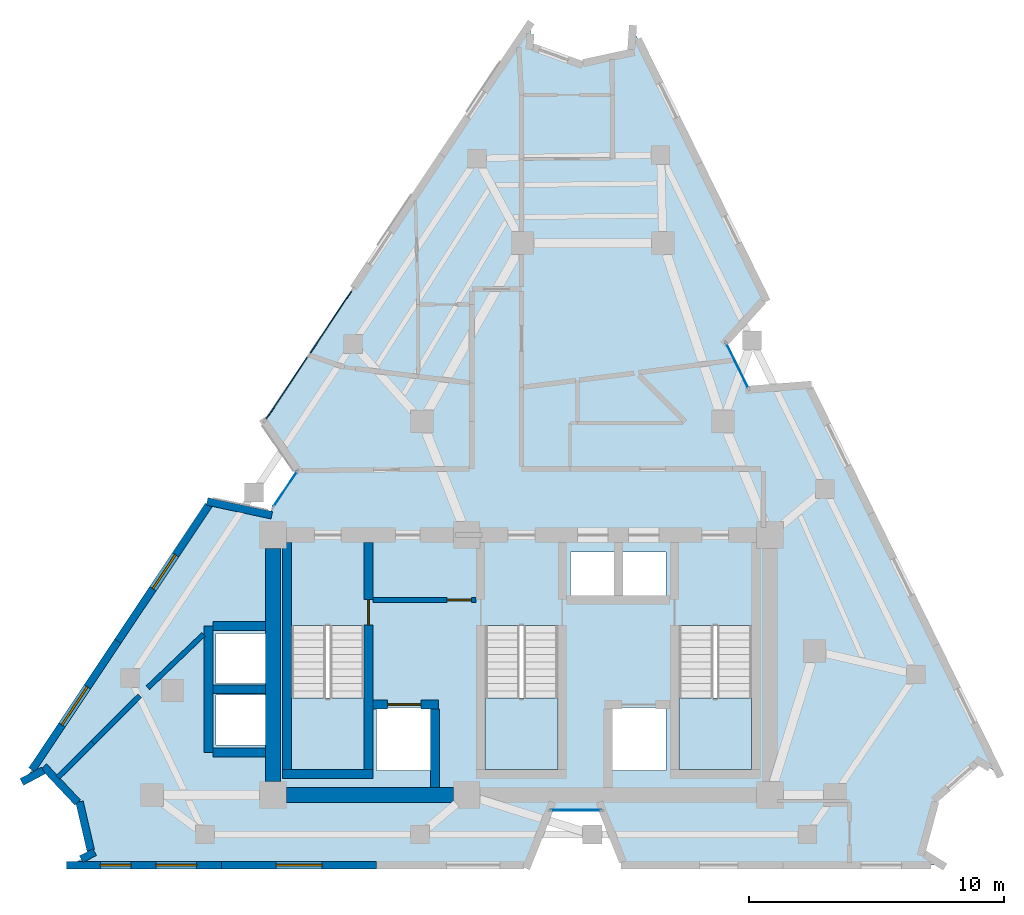
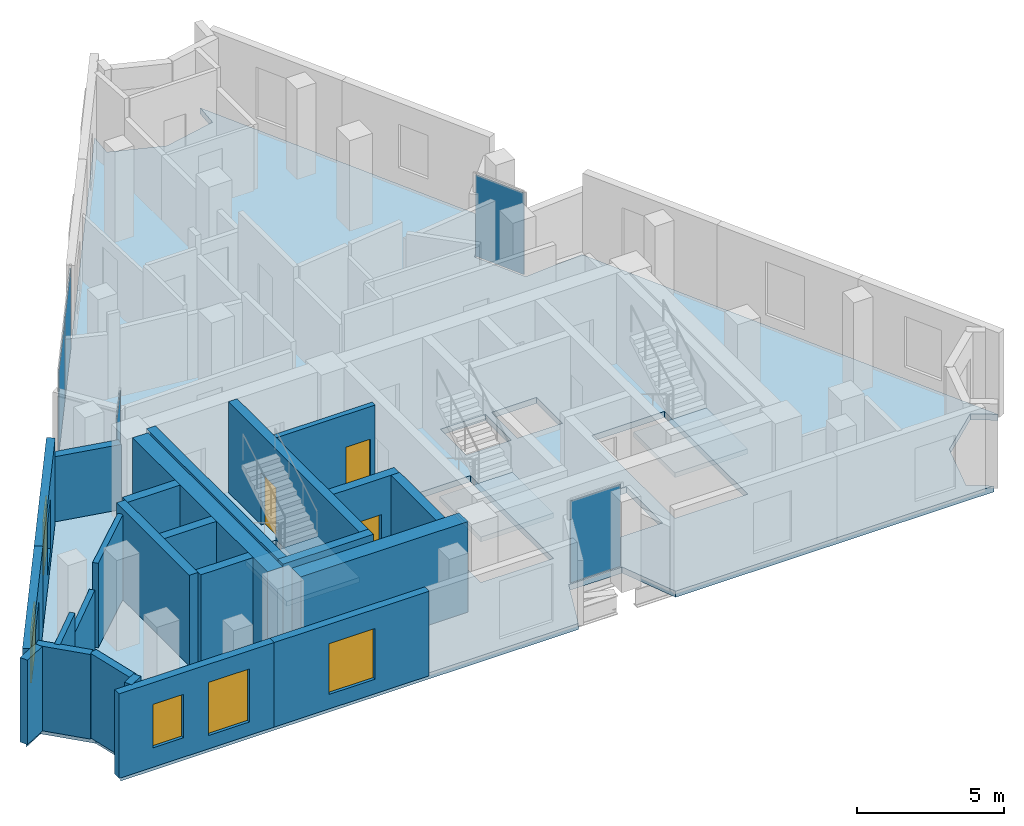
# One storey, part 4 of 8: 24 walls, 5 plates, 5 windows, 4 slabs, 3 doors, 8 openings, 7 elements without a shape of their own.
"""IFC4 building model written with IfcOpenShell, lengths in metres."""

from ifc_helpers import new_model, si_unit, direction, frame, frame_2d, origin, origin_2d, place, context, subcontext, project, spatial, polyline, rectangle, outline, extrude, material, layer, layer_set, type_object, element, fill, aggregate, save


model = new_model("IFC4")

# Units and contexts
model_context = context("Model", 3, precision=1e-05, world=origin(), true_north=direction((0.0, 1.0)))
body_context = subcontext(model_context, "Body", "Model", "MODEL_VIEW")
ifc_project = project(units=[si_unit("LENGTHUNIT", "METRE"), si_unit("AREAUNIT", "SQUARE_METRE"), si_unit("VOLUMEUNIT", "CUBIC_METRE"), si_unit("PLANEANGLEUNIT", "RADIAN"), si_unit("MASSUNIT", "GRAM", prefix="KILO")], contexts=[model_context])

# Site, building, storey
site_placement = place(None, origin())
site = spatial("IfcSite", under=ifc_project, at=site_placement, CompositionType="ELEMENT")
building_placement = place(site_placement, origin())
building = spatial("IfcBuilding", under=site, at=building_placement, Name="Almagre Mirador Tower", CompositionType="ELEMENT")
storey_placement = place(building_placement, frame((0.0, 0.0, 282.0)))
storey = spatial("IfcBuildingStorey", under=building, at=storey_placement, Name="L73", CompositionType="ELEMENT", Elevation=282.0)

# Curtain wall, plate
ifc_material_1 = material(Name="Black anodized aluminium", Category="aluminium")
ifc_layer_1 = layer(ifc_material_1, 0.169921875)
ifc_layer_set_1 = layer_set([ifc_layer_1], Name="Black anodized aluminium")
curtain_wall_type_1 = type_object("IfcCurtainWallType", Name="CW-CRS-SYS", PredefinedType="NOTDEFINED", material=ifc_layer_set_1)
curtain_wall_1_placement = place(storey_placement, origin())
curtain_wall_1 = element("IfcCurtainWall", 1, at=curtain_wall_1_placement, inside=storey, type_object=curtain_wall_type_1, Name="L73 vertical crease curtain wall 01", PredefinedType="NOTDEFINED")
ifc_material_2 = material(Name="Dark solar-control laminated hurricane glass", Category="glass")
ifc_layer_2 = layer(ifc_material_2, 0.028076171875)
ifc_layer_set_2 = layer_set([ifc_layer_2], Name="Dark solar-control laminated hurricane glass")
plate_type_1 = type_object("IfcPlateType", Name="PLT-GLZ-28", PredefinedType="CURTAIN_PANEL", material=ifc_layer_set_2)
plate_1_placement = place(storey_placement, frame((28.036865234375, 16.55712890625, 0.06005859375), z_axis=(0.0, 0.0, 1.0), x_axis=(0.555258598751, 0.831677755211, 0.0)))
plate_1 = element("IfcPlate", 2, at=plate_1_placement, type_object=plate_type_1, Name="CW-4 panel 1.1", PredefinedType="CURTAIN_PANEL", context=body_context, shape_type="SweptSolid", body=[
    extrude(rectangle(XDim=1.65673828125, YDim=0.028076171875, at=origin_2d()), origin(), (0.0, 0.0, 1.0), 3.3798828125),
])
aggregate(curtain_wall_1, [plate_1])

curtain_wall_2_placement = place(storey_placement, origin())
curtain_wall_2 = element("IfcCurtainWall", 3, at=curtain_wall_2_placement, inside=storey, type_object=curtain_wall_type_1, Name="L73 vertical crease curtain wall 03", PredefinedType="NOTDEFINED")
plate_2_placement = place(storey_placement, frame((45.77099609375, 21.388916015625, 0.06005859375), z_axis=(0.0, 0.0, 1.0), x_axis=(0.441079666023, -0.897467953869, 0.0)))
plate_2 = element("IfcPlate", 4, at=plate_2_placement, type_object=plate_type_1, Name="CW-4 panel 1.1", PredefinedType="CURTAIN_PANEL", context=body_context, shape_type="SweptSolid", body=[
    extrude(rectangle(XDim=1.97021484375, YDim=0.028076171875, at=origin_2d()), origin(), (0.0, 0.0, 1.0), 3.3798828125),
])
aggregate(curtain_wall_2, [plate_2])

curtain_wall_3_placement = place(storey_placement, origin())
curtain_wall_3 = element("IfcCurtainWall", 5, at=curtain_wall_3_placement, inside=storey, type_object=curtain_wall_type_1, Name="L73 vertical crease curtain wall 04", PredefinedType="NOTDEFINED")
plate_3_placement = place(storey_placement, frame((39.43603515625, 3.949951171875, 0.06005859375), z_axis=(0.0, 0.0, 1.0), x_axis=(-1.0, 0.0, 0.0)))
plate_3 = element("IfcPlate", 6, at=plate_3_placement, type_object=plate_type_1, Name="CW-4 panel 1.1", PredefinedType="CURTAIN_PANEL", context=body_context, shape_type="SweptSolid", body=[
    extrude(rectangle(XDim=1.969970703125, YDim=0.028076171875, at=origin_2d()), origin(), (0.0, 0.0, 1.0), 3.3798828125),
])
aggregate(curtain_wall_3, [plate_3])

# Curtain wall, plates
ifc_material_3 = material(Name="Black anodized aluminium", Category="aluminium")
ifc_layer_3 = layer(ifc_material_3, 0.199951171875)
ifc_layer_set_3 = layer_set([ifc_layer_3], Name="Black anodized aluminium")
curtain_wall_type_2 = type_object("IfcCurtainWallType", Name="CW-RES-H-SYS", PredefinedType="NOTDEFINED", material=ifc_layer_set_3)
curtain_wall_4_placement = place(storey_placement, origin())
curtain_wall_4 = element("IfcCurtainWall", 7, at=curtain_wall_4_placement, inside=storey, type_object=curtain_wall_type_2, Name="L73 curtain wall run 02", PredefinedType="NOTDEFINED")
ifc_material_4 = material(Name="Dark solar-control laminated hurricane glass", Category="glass")
ifc_layer_4 = layer(ifc_material_4, 0.035888671875)
ifc_layer_set_4 = layer_set([ifc_layer_4], Name="Dark solar-control laminated hurricane glass")
plate_type_2 = type_object("IfcPlateType", Name="PLT-GLZ-36", PredefinedType="CURTAIN_PANEL", material=ifc_layer_set_4)
plate_4_placement = place(storey_placement, frame((28.096923828125, 20.5205078125, 0.06494140625), z_axis=(0.0, 0.0, 1.0), x_axis=(0.555254836687, 0.831680266891, 0.0)))
plate_4 = element("IfcPlate", 8, at=plate_4_placement, type_object=plate_type_2, Name="CW-3 panel 1.1", PredefinedType="CURTAIN_PANEL", context=body_context, shape_type="SweptSolid", body=[
    extrude(rectangle(XDim=3.043212890625, YDim=0.035888671875, at=origin_2d()), origin(), (0.0, 0.0, 1.0), 3.3701171875),
])
plate_5_placement = place(storey_placement, frame((29.82275390625, 23.10546875, 0.06494140625), z_axis=(0.0, 0.0, 1.0), x_axis=(0.555254836687, 0.831680266891, 0.0)))
plate_5 = element("IfcPlate", 9, at=plate_5_placement, type_object=plate_type_2, Name="CW-3 panel 2.1", PredefinedType="CURTAIN_PANEL", context=body_context, shape_type="SweptSolid", body=[
    extrude(rectangle(XDim=3.043212890625, YDim=0.035888671875, at=origin_2d()), origin(), (0.0, 0.0, 1.0), 3.3701171875),
])
aggregate(curtain_wall_4, [plate_4, plate_5])

# Slab
ifc_material_5 = material(Name="Concrete C45/55", Category="concrete")
ifc_layer_5 = layer(ifc_material_5, 0.25)
ifc_layer_set_5 = layer_set([ifc_layer_5], Name="Concrete C45/55")
slab_type_1 = type_object("IfcSlabType", Name="SLB-FLR-250", PredefinedType="FLOOR", material=ifc_layer_set_5)
slab_1_placement = place(storey_placement, frame((0.0, 0.0, -0.25)))
element("IfcSlab", 10, at=slab_1_placement, inside=storey, type_object=slab_type_1, Name="L73 structural floor slab", PredefinedType="FLOOR", context=body_context, shape_type="SweptSolid", body=[
    extrude(outline(polyline([(17.821044921875, 5.126953125), (18.654052734375, 5.572021484375), (19.990966796875, 4.14794921875), (20.43310546875, 2.24609375), (19.60009765625, 1.800048828125), (37.535888671875, 1.800048828125), (38.39111328125, 3.949951171875), (40.48095703125, 3.949951171875), (41.3359375, 1.800048828125), (53.800048828125, 1.800048828125), (52.998046875, 2.299072265625), (53.572021484375, 4.431884765625), (55.23291015625, 5.888916015625), (56.034912109375, 5.388916015625), (48.5390625, 20.633056640625), (46.23193359375, 20.450927734375), (45.31005859375, 22.326904296875), (46.862060546875, 24.04296875), (41.6650390625, 34.611083984375), (41.60302734375, 33.66796875), (39.572998046875, 33.23095703125), (37.616943359375, 33.929931640625), (37.678955078125, 34.873046875), (27.216064453125, 19.200927734375), (28.530029296875, 17.2958984375), (27.368896484375, 15.556884765625), (25.10595703125, 16.0400390625), (17.821044921875, 5.126953125)]), holes=[polyline([(43.47509765625, 5.550048828125), (43.47509765625, 11.196044921875), (46.324951171875, 11.196044921875), (46.324951171875, 5.550048828125), (43.47509765625, 5.550048828125)]), polyline([(41.219970703125, 12.320068359375), (41.219970703125, 14.080078125), (42.97998046875, 14.080078125), (42.97998046875, 12.320068359375), (41.219970703125, 12.320068359375)]), polyline([(42.97998046875, 5.52001953125), (40.820068359375, 5.52001953125), (40.820068359375, 7.97998046875), (42.97998046875, 7.97998046875), (42.97998046875, 5.52001953125)]), polyline([(39.219970703125, 12.320068359375), (39.219970703125, 14.080078125), (40.97998046875, 14.080078125), (40.97998046875, 12.320068359375), (39.219970703125, 12.320068359375)]), polyline([(35.875, 5.550048828125), (35.875, 11.196044921875), (38.72509765625, 11.196044921875), (38.72509765625, 5.550048828125), (35.875, 5.550048828125)]), polyline([(33.780029296875, 5.52001953125), (31.6201171875, 5.52001953125), (31.6201171875, 7.97998046875), (33.780029296875, 7.97998046875), (33.780029296875, 5.52001953125)]), polyline([(28.27490234375, 5.550048828125), (28.27490234375, 11.196044921875), (31.125, 11.196044921875), (31.125, 5.550048828125), (28.27490234375, 5.550048828125)]), polyline([(27.3798828125, 6.52001953125), (25.320068359375, 6.52001953125), (25.320068359375, 8.47998046875), (27.3798828125, 8.47998046875), (27.3798828125, 6.52001953125)]), polyline([(27.3798828125, 8.919921875), (25.320068359375, 8.919921875), (25.320068359375, 10.8798828125), (27.3798828125, 10.8798828125), (27.3798828125, 8.919921875)])]), origin(), (0.0, 0.0, 1.0), 0.25),
])

# Stair, slab
ifc_material_6 = material(Name="Concrete C45/55", Category="concrete")
stair_type = type_object("IfcStairType", Name="STR-DL-3750", PredefinedType="HALF_TURN_STAIR", material=ifc_material_6)
stair_1_placement = place(storey_placement, origin())
stair_1 = element("IfcStair", 11, at=stair_1_placement, inside=storey, type_object=stair_type, Name="L73 Protected exit stair ST-1", PredefinedType="HALF_TURN_STAIR")
ifc_material_7 = material(Name="Concrete C45/55", Category="concrete")
ifc_layer_6 = layer(ifc_material_7, 0.199951171875)
ifc_layer_set_6 = layer_set([ifc_layer_6], Name="Concrete C45/55")
slab_type_2 = type_object("IfcSlabType", Name="SLB-LND-200", PredefinedType="LANDING", material=ifc_layer_set_6)
slab_2_placement = place(storey_placement, frame((0.0, 0.0, 1.675048828125)))
slab_2 = element("IfcSlab", 12, at=slab_2_placement, type_object=slab_type_2, Name="ST-1 landing 1", PredefinedType="LANDING", context=body_context, shape_type="SweptSolid", body=[
    extrude(outline(polyline([(28.27490234375, 8.35009765625), (28.27490234375, 5.550048828125), (31.125, 5.550048828125), (31.125, 8.35009765625), (28.27490234375, 8.35009765625)])), origin(), (0.0, 0.0, 1.0), 0.199951171875),
])
aggregate(stair_1, [slab_2])

stair_2_placement = place(storey_placement, origin())
stair_2 = element("IfcStair", 13, at=stair_2_placement, inside=storey, type_object=stair_type, Name="L73 Protected exit stair ST-2", PredefinedType="HALF_TURN_STAIR")
slab_3_placement = place(storey_placement, frame((0.0, 0.0, 1.675048828125)))
slab_3 = element("IfcSlab", 14, at=slab_3_placement, type_object=slab_type_2, Name="ST-2 landing 1", PredefinedType="LANDING", context=body_context, shape_type="SweptSolid", body=[
    extrude(outline(polyline([(35.875, 8.35009765625), (35.875, 5.550048828125), (38.72509765625, 5.550048828125), (38.72509765625, 8.35009765625), (35.875, 8.35009765625)])), origin(), (0.0, 0.0, 1.0), 0.199951171875),
])
aggregate(stair_2, [slab_3])

stair_3_placement = place(storey_placement, origin())
stair_3 = element("IfcStair", 15, at=stair_3_placement, inside=storey, type_object=stair_type, Name="L73 Protected exit stair ST-3", PredefinedType="HALF_TURN_STAIR")
slab_4_placement = place(storey_placement, frame((0.0, 0.0, 1.675048828125)))
slab_4 = element("IfcSlab", 16, at=slab_4_placement, type_object=slab_type_2, Name="ST-3 landing 1", PredefinedType="LANDING", context=body_context, shape_type="SweptSolid", body=[
    extrude(outline(polyline([(43.47509765625, 8.35009765625), (43.47509765625, 5.550048828125), (46.324951171875, 5.550048828125), (46.324951171875, 8.35009765625), (43.47509765625, 8.35009765625)])), origin(), (0.0, 0.0, 1.0), 0.199951171875),
])
aggregate(stair_3, [slab_4])

# Wall
ifc_material_8 = material(Name="Precast concrete C50/60", Category="concrete")
ifc_layer_7 = layer(ifc_material_8, 0.300048828125)
ifc_layer_set_7 = layer_set([ifc_layer_7], Name="Precast concrete C50/60")
wall_type_1 = type_object("IfcWallType", Name="WAL-EXT-300", PredefinedType="SOLIDWALL", material=ifc_layer_set_7)
wall_1_placement = place(storey_placement, frame((24.968994140625, 16.069091796875, 0.0), z_axis=(0.0, 0.0, 1.0), x_axis=(0.977987970982, -0.208661277227, 0.0)))
element("IfcWall", 17, at=wall_1_placement, inside=storey, type_object=wall_type_1, Name="L73 expressed almagre precast frame wall 01", PredefinedType="SOLIDWALL", context=body_context, shape_type="SweptSolid", body=[
    extrude(rectangle(XDim=2.593994140625, YDim=0.300048828125, at=frame_2d((1.296875, 0.0))), origin(), (0.0, 0.0, 1.0), 2.696044921875),
])

# Wall, opening, window
wall_2_placement = place(storey_placement, frame((31.60400390625, 1.800048828125, 0.0), z_axis=(0.0, 0.0, 1.0), x_axis=(-1.0, 0.0, 0.0)))
wall_2 = element("IfcWall", 18, at=wall_2_placement, inside=storey, type_object=wall_type_1, Name="L73 expressed almagre precast frame wall 25", PredefinedType="SOLIDWALL", context=body_context, shape_type="SweptSolid", body=[
    extrude(rectangle(XDim=6.072021484375, YDim=0.300048828125, at=frame_2d((3.0361328125, 0.0))), origin(), (0.0, 0.0, 1.0), 3.5),
])
opening_1_placement = place(wall_2_placement, frame((2.125, 0.0, 0.60009765625)))
opening_1 = element("IfcOpeningElement", 19, at=opening_1_placement, cuts=wall_2, Name="Opening WN-01", PredefinedType="OPENING", context=body_context, shape_type="SweptSolid", body=[
    extrude(rectangle(XDim=1.800048828125, YDim=2.10009765625, at=frame_2d((0.89990234375, 1.050048828125))), frame((0.0, 0.159902, 0.0), z_axis=(0.0, -1.0, 0.0), x_axis=(1.0, 0.0, 0.0)), (0.0, 0.0, 1.0), 0.320049),
])
ifc_material_9 = material(Name="Dark solar-control laminated hurricane glass", Category="glass")
window_type_1 = type_object("IfcWindowType", Name="WIN-1800X2100", PartitioningType="DOUBLE_PANEL_VERTICAL", PredefinedType="WINDOW", material=ifc_material_9)
window_1_placement = place(opening_1_placement, origin())
window_1 = element("IfcWindow", 20, at=window_1_placement, inside=storey, type_object=window_type_1, Name="L73 recessed hurricane window L73-UA-LV", OverallHeight=2.10009765625, OverallWidth=1.800048828125, PartitioningType="SINGLE_PANEL", PredefinedType="WINDOW", context=body_context, shape_type="SweptSolid", body=[
    extrude(rectangle(XDim=1.800048828125, YDim=2.10009765625, at=frame_2d((0.89990234375, 1.050048828125))), frame((0.0, 0.030029296875, 0.0), z_axis=(0.0, -1.0, 0.0), x_axis=(1.0, 0.0, 0.0)), (0.0, 0.0, 1.0), 0.06005859375),
])
fill(opening_1, window_1)

# Wall, openings, windows
wall_3_placement = place(storey_placement, frame((25.531982421875, 1.800048828125, 0.0), z_axis=(0.0, 0.0, 1.0), x_axis=(-1.0, 0.0, 0.0)))
wall_3 = element("IfcWall", 21, at=wall_3_placement, inside=storey, type_object=wall_type_1, Name="L73 expressed almagre precast frame wall 26", PredefinedType="SOLIDWALL", context=body_context, shape_type="SweptSolid", body=[
    extrude(rectangle(XDim=6.072021484375, YDim=0.300048828125, at=frame_2d((3.0361328125, 0.0))), origin(), (0.0, 0.0, 1.0), 3.5),
])
opening_2_placement = place(wall_3_placement, frame((0.97509765625, 0.0, 0.550048828125)))
opening_2 = element("IfcOpeningElement", 22, at=opening_2_placement, cuts=wall_3, Name="Opening WN-06", PredefinedType="OPENING", context=body_context, shape_type="SweptSolid", body=[
    extrude(rectangle(XDim=1.60009765625, YDim=2.199951171875, at=frame_2d((0.800048828125, 1.10009765625))), frame((0.0, 0.159902, 0.0), z_axis=(0.0, -1.0, 0.0), x_axis=(1.0, 0.0, 0.0)), (0.0, 0.0, 1.0), 0.320049),
])
opening_3_placement = place(wall_3_placement, frame((3.550048828125, 0.0, 0.800048828125)))
opening_3 = element("IfcOpeningElement", 23, at=opening_3_placement, cuts=wall_3, Name="Opening WN-04", PredefinedType="OPENING", context=body_context, shape_type="SweptSolid", body=[
    extrude(rectangle(XDim=1.199951171875, YDim=1.800048828125, at=frame_2d((0.60009765625, 0.89990234375))), frame((0.0, 0.159902, 0.0), z_axis=(0.0, -1.0, 0.0), x_axis=(1.0, 0.0, 0.0)), (0.0, 0.0, 1.0), 0.320049),
])
ifc_material_10 = material(Name="Dark solar-control laminated hurricane glass", Category="glass")
window_type_2 = type_object("IfcWindowType", Name="WIN-1200X1800", PartitioningType="SINGLE_PANEL", PredefinedType="WINDOW", material=ifc_material_10)
window_2_placement = place(opening_3_placement, origin())
window_2 = element("IfcWindow", 24, at=window_2_placement, inside=storey, type_object=window_type_2, Name="L73 recessed hurricane window L73-UA-KT", OverallHeight=1.800048828125, OverallWidth=1.199951171875, PartitioningType="SINGLE_PANEL", PredefinedType="WINDOW", context=body_context, shape_type="SweptSolid", body=[
    extrude(rectangle(XDim=1.199951171875, YDim=1.800048828125, at=frame_2d((0.60009765625, 0.89990234375))), frame((0.0, 0.030029296875, 0.0), z_axis=(0.0, -1.0, 0.0), x_axis=(1.0, 0.0, 0.0)), (0.0, 0.0, 1.0), 0.06005859375),
])
fill(opening_3, window_2)
ifc_material_11 = material(Name="Dark solar-control laminated hurricane glass", Category="glass")
window_type_3 = type_object("IfcWindowType", Name="WIN-1600X2200", PartitioningType="DOUBLE_PANEL_VERTICAL", PredefinedType="WINDOW", material=ifc_material_11)
window_3_placement = place(opening_2_placement, origin())
window_3 = element("IfcWindow", 25, at=window_3_placement, inside=storey, type_object=window_type_3, Name="L73 recessed hurricane window L73-UA-LV", OverallHeight=2.199951171875, OverallWidth=1.60009765625, PartitioningType="SINGLE_PANEL", PredefinedType="WINDOW", context=body_context, shape_type="SweptSolid", body=[
    extrude(rectangle(XDim=1.60009765625, YDim=2.199951171875, at=frame_2d((0.800048828125, 1.10009765625))), frame((0.0, 0.030029296875, 0.0), z_axis=(0.0, -1.0, 0.0), x_axis=(1.0, 0.0, 0.0)), (0.0, 0.0, 1.0), 0.06005859375),
])
fill(opening_2, window_3)

# Walls
wall_4_placement = place(storey_placement, frame((20.031982421875, 2.03125, 0.0), z_axis=(0.0, 0.0, 1.0), x_axis=(0.881601971089, 0.471993606495, 0.0)))
element("IfcWall", 26, at=wall_4_placement, inside=storey, type_object=wall_type_1, Name="L73 expressed almagre precast frame wall 27", PredefinedType="SOLIDWALL", context=body_context, shape_type="SweptSolid", body=[
    extrude(rectangle(XDim=0.5947265625, YDim=0.300048828125, at=frame_2d((0.29736328125, 0.0))), origin(), (0.0, 0.0, 1.0), 3.5),
])
wall_5_placement = place(storey_placement, frame((20.403564453125, 2.37255859375, 0.0), z_axis=(0.0, 0.0, 1.0), x_axis=(-0.226376282289, 0.974039926706, 0.0)))
element("IfcWall", 27, at=wall_5_placement, inside=storey, type_object=wall_type_1, Name="L73 expressed almagre precast frame wall 28", PredefinedType="SOLIDWALL", context=body_context, shape_type="SweptSolid", body=[
    extrude(rectangle(XDim=1.962890625, YDim=0.300048828125, at=frame_2d((0.9814453125, 0.0))), origin(), (0.0, 0.0, 1.0), 3.5),
])
wall_6_placement = place(storey_placement, frame((19.88818359375, 4.25732421875, 0.0), z_axis=(0.0, 0.0, 1.0), x_axis=(-0.684454988333, 0.72905512065, 0.0)))
element("IfcWall", 28, at=wall_6_placement, inside=storey, type_object=wall_type_1, Name="L73 expressed almagre precast frame wall 29", PredefinedType="SOLIDWALL", context=body_context, shape_type="SweptSolid", body=[
    extrude(rectangle(XDim=1.943359375, YDim=0.300048828125, at=frame_2d((0.9716796875, 0.0))), origin(), (0.0, 0.0, 1.0), 3.5),
])
wall_7_placement = place(storey_placement, frame((18.543701171875, 5.51318359375, 0.0), z_axis=(0.0, 0.0, 1.0), x_axis=(-0.881986380724, -0.471274892412, 0.0)))
element("IfcWall", 29, at=wall_7_placement, inside=storey, type_object=wall_type_1, Name="L73 expressed almagre precast frame wall 30", PredefinedType="SOLIDWALL", context=body_context, shape_type="SweptSolid", body=[
    extrude(rectangle(XDim=0.95947265625, YDim=0.300048828125, at=frame_2d((0.479736328125, 0.0))), origin(), (0.0, 0.0, 1.0), 3.5),
])

# Wall, opening, window
wall_8_placement = place(storey_placement, frame((18.093017578125, 5.53466796875, 0.0), z_axis=(0.0, 0.0, 1.0), x_axis=(0.555210552044, 0.83170983095, 0.0)))
wall_8 = element("IfcWall", 30, at=wall_8_placement, inside=storey, type_object=wall_type_1, Name="L73 expressed almagre precast frame wall 31", PredefinedType="SOLIDWALL", context=body_context, shape_type="SweptSolid", body=[
    extrude(rectangle(XDim=6.0703125, YDim=0.300048828125, at=frame_2d((3.03515625, 0.0))), origin(), (0.0, 0.0, 1.0), 3.5),
])
opening_4_placement = place(wall_8_placement, frame((2.1201171875, 0.0, 0.60009765625)))
opening_4 = element("IfcOpeningElement", 31, at=opening_4_placement, cuts=wall_8, Name="Opening WN-01", PredefinedType="OPENING", context=body_context, shape_type="SweptSolid", body=[
    extrude(rectangle(XDim=1.800048828125, YDim=2.10009765625, at=frame_2d((0.89990234375, 1.050048828125))), frame((0.0, 0.159902, 0.0), z_axis=(0.0, -1.0, 0.0), x_axis=(1.0, 0.0, 0.0)), (0.0, 0.0, 1.0), 0.320049),
])
window_4_placement = place(opening_4_placement, origin())
window_4 = element("IfcWindow", 32, at=window_4_placement, inside=storey, type_object=window_type_1, Name="L73 recessed hurricane window L73-RST-D", OverallHeight=2.10009765625, OverallWidth=1.800048828125, PartitioningType="SINGLE_PANEL", PredefinedType="WINDOW", context=body_context, shape_type="SweptSolid", body=[
    extrude(rectangle(XDim=1.800048828125, YDim=2.10009765625, at=frame_2d((0.89990234375, 1.050048828125))), frame((0.0, 0.030029296875, 0.0), z_axis=(0.0, -1.0, 0.0), x_axis=(1.0, 0.0, 0.0)), (0.0, 0.0, 1.0), 0.06005859375),
])
fill(opening_4, window_4)

wall_9_placement = place(storey_placement, frame((21.46337890625, 10.58349609375, 0.0), z_axis=(0.0, 0.0, 1.0), x_axis=(0.55522657145, 0.831699136921, 0.0)))
wall_9 = element("IfcWall", 33, at=wall_9_placement, inside=storey, type_object=wall_type_1, Name="L73 expressed almagre precast frame wall 32", PredefinedType="SOLIDWALL", context=body_context, shape_type="SweptSolid", body=[
    extrude(rectangle(XDim=6.420654296875, YDim=0.300048828125, at=frame_2d((3.21044921875, 0.0))), origin(), (0.0, 0.0, 1.0), 3.5),
])
opening_5_placement = place(wall_9_placement, frame((2.47509765625, 0.0, 0.550048828125)))
opening_5 = element("IfcOpeningElement", 34, at=opening_5_placement, cuts=wall_9, Name="Opening WN-06", PredefinedType="OPENING", context=body_context, shape_type="SweptSolid", body=[
    extrude(rectangle(XDim=1.60009765625, YDim=2.199951171875, at=frame_2d((0.800048828125, 1.10009765625))), frame((0.0, 0.159902, 0.0), z_axis=(0.0, -1.0, 0.0), x_axis=(1.0, 0.0, 0.0)), (0.0, 0.0, 1.0), 0.320049),
])
window_5_placement = place(opening_5_placement, origin())
window_5 = element("IfcWindow", 35, at=window_5_placement, inside=storey, type_object=window_type_3, Name="L73 recessed hurricane window L73-RST-D", OverallHeight=2.199951171875, OverallWidth=1.60009765625, PartitioningType="SINGLE_PANEL", PredefinedType="WINDOW", context=body_context, shape_type="SweptSolid", body=[
    extrude(rectangle(XDim=1.60009765625, YDim=2.199951171875, at=frame_2d((0.800048828125, 1.10009765625))), frame((0.0, 0.030029296875, 0.0), z_axis=(0.0, -1.0, 0.0), x_axis=(1.0, 0.0, 0.0)), (0.0, 0.0, 1.0), 0.06005859375),
])
fill(opening_5, window_5)

# Wall, opening, door
ifc_material_12 = material(Name="Gypsum acoustic stud partition", Category="other")
ifc_layer_8 = layer(ifc_material_12, 0.199951171875)
ifc_layer_set_8 = layer_set([ifc_layer_8], Name="Gypsum acoustic stud partition")
wall_type_2 = type_object("IfcWallType", Name="WAL-PRT-200-EI60", PredefinedType="PARTITIONING", material=ifc_layer_set_8)
wall_10_placement = place(storey_placement, frame((31.47998046875, 12.199951171875, 0.0), z_axis=(0.0, 0.0, 1.0), x_axis=(1.0, 0.0, 0.0)))
wall_10 = element("IfcWall", 36, at=wall_10_placement, inside=storey, type_object=wall_type_2, Name="L73 FFL-1 north enclosure wall", PredefinedType="PARTITIONING", context=body_context, shape_type="SweptSolid", body=[
    extrude(rectangle(XDim=4.0400390625, YDim=0.199951171875, at=frame_2d((2.02001953125, 0.0))), origin(), (0.0, 0.0, 1.0), 3.5),
])
opening_6_placement = place(wall_10_placement, frame((2.905029296875, 0.0, 0.0)))
opening_6 = element("IfcOpeningElement", 37, at=opening_6_placement, cuts=wall_10, Name="Opening ID-02", PredefinedType="OPENING", context=body_context, shape_type="SweptSolid", body=[
    extrude(rectangle(XDim=0.949951171875, YDim=2.14990234375, at=frame_2d((0.47509765625, 1.074951171875))), frame((0.0, 0.110098, 0.0), z_axis=(0.0, -1.0, 0.0), x_axis=(1.0, 0.0, 0.0)), (0.0, 0.0, 1.0), 0.219951),
])
ifc_material_13 = material(Name="Fire-rated walnut timber", Category="wood")
door_type_1 = type_object("IfcDoorType", Name="DOR-FD60-950X2150", OperationType="NOTDEFINED", PredefinedType="DOOR", material=ifc_material_13)
door_1_placement = place(opening_6_placement, origin())
door_1 = element("IfcDoor", 38, at=door_1_placement, inside=storey, type_object=door_type_1, Name="DR-2190 L73 FFL-1 north smoke door", OperationType="SINGLE_SWING_RIGHT", OverallHeight=2.14990234375, OverallWidth=0.949951171875, PredefinedType="DOOR", context=body_context, shape_type="SweptSolid", body=[
    extrude(rectangle(XDim=0.949951171875, YDim=2.14990234375, at=frame_2d((0.47509765625, 1.074951171875))), frame((0.0, 0.02490234375, 0.0), z_axis=(0.0, -1.0, 0.0), x_axis=(1.0, 0.0, 0.0)), (0.0, 0.0, 1.0), 0.050048828125),
])
fill(opening_6, door_1)

# Walls
wall_11_placement = place(storey_placement, frame((24.8271484375, 10.852294921875, 0.0), z_axis=(0.0, 0.0, 1.0), x_axis=(-0.722620836198, -0.691244621746, 0.0)))
element("IfcWall", 39, at=wall_11_placement, inside=storey, type_object=wall_type_2, Name="L73 interior partition 018", PredefinedType="PARTITIONING", context=body_context, shape_type="SweptSolid", body=[
    extrude(rectangle(XDim=3.02685546875, YDim=0.199951171875, at=frame_2d((1.513427734375, 0.0))), origin(), (0.0, 0.0, 1.0), 3.5),
])
wall_12_placement = place(storey_placement, frame((20.489990234375, 6.610107421875, 0.0), z_axis=(0.0, 0.0, 1.0), x_axis=(0.707153691777, 0.707059867484, 0.0)))
element("IfcWall", 40, at=wall_12_placement, inside=storey, type_object=wall_type_2, Name="L73 interior partition 019", PredefinedType="PARTITIONING", context=body_context, shape_type="SweptSolid", body=[
    extrude(rectangle(XDim=2.60205078125, YDim=0.199951171875, at=frame_2d((1.301025390625, 0.0))), origin(), (0.0, 0.0, 1.0), 2.69091796875),
])
wall_13_placement = place(storey_placement, frame((20.489990234375, 6.610107421875, 0.0), z_axis=(0.0, 0.0, 1.0), x_axis=(-0.708357851814, -0.705853493137, 0.0)))
element("IfcWall", 41, at=wall_13_placement, inside=storey, type_object=wall_type_2, Name="L73 interior partition 020", PredefinedType="PARTITIONING", context=body_context, shape_type="SweptSolid", body=[
    extrude(rectangle(XDim=1.94970703125, YDim=0.199951171875, at=frame_2d((0.974853515625, 0.0))), origin(), (0.0, 0.0, 1.0), 3.5),
])
ifc_material_14 = material(Name="Concrete C60/75", Category="concrete")
ifc_layer_9 = layer(ifc_material_14, 0.35009765625)
ifc_layer_set_9 = layer_set([ifc_layer_9], Name="Concrete C60/75")
wall_type_3 = type_object("IfcWallType", Name="WAL-SHF-350", PredefinedType="SOLIDWALL", material=ifc_layer_set_9)
wall_14_placement = place(storey_placement, frame((28.10009765625, 5.199951171875, 0.0), z_axis=(0.0, 0.0, 1.0), x_axis=(0.0, 1.0, 0.0)))
element("IfcWall", 42, at=wall_14_placement, inside=storey, type_object=wall_type_3, Name="L73 shaft wall ST1-W", PredefinedType="SOLIDWALL", context=body_context, shape_type="SweptSolid", body=[
    extrude(rectangle(XDim=9.25, YDim=0.35009765625, at=frame_2d((4.625, 0.0))), origin(), (0.0, 0.0, 1.0), 3.75),
])

# Wall, opening, door
wall_15_placement = place(storey_placement, frame((31.300048828125, 5.199951171875, 0.0), z_axis=(0.0, 0.0, 1.0), x_axis=(0.0, 1.0, 0.0)))
wall_15 = element("IfcWall", 43, at=wall_15_placement, inside=storey, type_object=wall_type_3, Name="L73 shaft wall ST1-E", PredefinedType="SOLIDWALL", context=body_context, shape_type="SweptSolid", body=[
    extrude(rectangle(XDim=9.25, YDim=0.35009765625, at=frame_2d((4.625, 0.0))), origin(), (0.0, 0.0, 1.0), 3.75),
])
opening_7_placement = place(wall_15_placement, frame((6.02001953125, 0.0, 0.0)))
opening_7 = element("IfcOpeningElement", 44, at=opening_7_placement, cuts=wall_15, Name="Opening FD-01", PredefinedType="OPENING", context=body_context, shape_type="SweptSolid", body=[
    extrude(rectangle(XDim=1.0, YDim=2.14990234375, at=frame_2d((0.5, 1.074951171875))), frame((0.0, 0.185049, 0.0), z_axis=(0.0, -1.0, 0.0), x_axis=(1.0, 0.0, 0.0)), (0.0, 0.0, 1.0), 0.370098),
])
ifc_material_15 = material(Name="Fire-rated hollow steel", Category="steel")
door_type_2 = type_object("IfcDoorType", Name="DOR-FFL-1000X2150", OperationType="NOTDEFINED", PredefinedType="DOOR", material=ifc_material_15)
door_2_placement = place(opening_7_placement, origin())
door_2 = element("IfcDoor", 45, at=door_2_placement, inside=storey, type_object=door_type_2, Name="DR-2191 L73 FFL1-ST1 smokeproof door", OperationType="SINGLE_SWING_RIGHT", OverallHeight=2.14990234375, OverallWidth=1.0, PredefinedType="DOOR", context=body_context, shape_type="SweptSolid", body=[
    extrude(rectangle(XDim=1.0, YDim=2.14990234375, at=frame_2d((0.5, 1.074951171875))), frame((0.0, 0.02490234375, 0.0), z_axis=(0.0, -1.0, 0.0), x_axis=(1.0, 0.0, 0.0)), (0.0, 0.0, 1.0), 0.050048828125),
])
fill(opening_7, door_2)

# Wall
wall_16_placement = place(storey_placement, frame((27.925048828125, 5.375, 0.0), z_axis=(0.0, 0.0, 1.0), x_axis=(1.0, 0.0, 0.0)))
element("IfcWall", 46, at=wall_16_placement, inside=storey, type_object=wall_type_3, Name="L73 shaft wall ST1-S", PredefinedType="SOLIDWALL", context=body_context, shape_type="SweptSolid", body=[
    extrude(rectangle(XDim=3.550048828125, YDim=0.35009765625, at=frame_2d((1.77490234375, 0.0))), origin(), (0.0, 0.0, 1.0), 3.75),
])

# Wall, opening, door
wall_17_placement = place(storey_placement, frame((31.47509765625, 8.10009765625, 0.0), z_axis=(0.0, 0.0, 1.0), x_axis=(1.0, 0.0, 0.0)))
wall_17 = element("IfcWall", 47, at=wall_17_placement, inside=storey, type_object=wall_type_3, Name="L73 shaft wall FSAE1-N", PredefinedType="SOLIDWALL", context=body_context, shape_type="SweptSolid", body=[
    extrude(rectangle(XDim=2.574951171875, YDim=0.35009765625, at=frame_2d((1.28759765625, 0.0))), origin(), (0.0, 0.0, 1.0), 3.75),
])
opening_8_placement = place(wall_17_placement, frame((0.574951171875, 0.0, 0.0)))
opening_8 = element("IfcOpeningElement", 48, at=opening_8_placement, cuts=wall_17, Name="Opening LD-03", PredefinedType="OPENING", context=body_context, shape_type="SweptSolid", body=[
    extrude(rectangle(XDim=1.300048828125, YDim=2.25, at=frame_2d((0.64990234375, 1.125))), frame((0.0, 0.185049, 0.0), z_axis=(0.0, -1.0, 0.0), x_axis=(1.0, 0.0, 0.0)), (0.0, 0.0, 1.0), 0.370098),
])
ifc_material_16 = material(Name="Hollow stainless steel", Category="steel")
door_type_3 = type_object("IfcDoorType", Name="DOR-LD-1300X2250", OperationType="DOUBLE_DOOR_SLIDING", PredefinedType="DOOR", material=ifc_material_16)
door_3_placement = place(opening_8_placement, origin())
door_3 = element("IfcDoor", 49, at=door_3_placement, inside=storey, type_object=door_type_3, Name="DR-2204 L73 FSAE-1 lift landing door", OperationType="DOUBLE_DOOR_SLIDING", OverallHeight=2.25, OverallWidth=1.300048828125, PredefinedType="DOOR", context=body_context, shape_type="SweptSolid", body=[
    extrude(rectangle(XDim=1.300048828125, YDim=2.25, at=frame_2d((0.64990234375, 1.125))), frame((0.0, 0.02490234375, 0.0), z_axis=(0.0, -1.0, 0.0), x_axis=(1.0, 0.0, 0.0)), (0.0, 0.0, 1.0), 0.050048828125),
])
fill(opening_8, door_3)

# Walls
wall_18_placement = place(storey_placement, frame((33.89990234375, 4.85009765625, 0.0), z_axis=(0.0, 0.0, 1.0), x_axis=(0.0, 1.0, 0.0)))
element("IfcWall", 50, at=wall_18_placement, inside=storey, type_object=wall_type_3, Name="L73 shaft wall FSAE1-E", PredefinedType="SOLIDWALL", context=body_context, shape_type="SweptSolid", body=[
    extrude(rectangle(XDim=3.074951171875, YDim=0.35009765625, at=frame_2d((1.53759765625, 0.0))), origin(), (0.0, 0.0, 1.0), 3.75),
])
wall_19_placement = place(storey_placement, frame((25.02490234375, 6.22509765625, 0.0), z_axis=(0.0, 0.0, 1.0), x_axis=(0.0, 1.0, 0.0)))
element("IfcWall", 51, at=wall_19_placement, inside=storey, type_object=wall_type_3, Name="L73 shaft wall OL-W", PredefinedType="SOLIDWALL", context=body_context, shape_type="SweptSolid", body=[
    extrude(rectangle(XDim=4.949951171875, YDim=0.35009765625, at=frame_2d((2.47509765625, 0.0))), origin(), (0.0, 0.0, 1.0), 3.75),
])
for number, where, z_axis, x_axis, name in (
    (52, (25.199951171875, 6.22509765625, 0.0), (0.0, 0.0, 1.0), (1.0, 0.0, 0.0), "L73 shaft wall OL-S"),
    (53, (25.199951171875, 8.699951171875, 0.0), (0.0, 0.0, 1.0), (1.0, 0.0, 0.0), "L73 shaft wall OL-M"),
    (54, (25.199951171875, 11.175048828125, 0.0), (0.0, 0.0, 1.0), (1.0, 0.0, 0.0), "L73 shaft wall OL-N"),
):
    element("IfcWall", number, at=place(storey_placement, frame(where, z_axis=z_axis, x_axis=x_axis)), inside=storey, type_object=wall_type_3, Name=name, PredefinedType="SOLIDWALL", context=body_context, shape_type="SweptSolid", body=[
        extrude(rectangle(XDim=2.050048828125, YDim=0.35009765625, at=frame_2d((1.02490234375, 0.0))), origin(), (0.0, 0.0, 1.0), 3.75),
    ])
ifc_material_17 = material(Name="Concrete C60/75", Category="concrete")
ifc_layer_10 = layer(ifc_material_17, 0.60009765625)
ifc_layer_set_10 = layer_set([ifc_layer_10], Name="Concrete C60/75")
wall_type_4 = type_object("IfcWallType", Name="WAL-SHR-600", PredefinedType="SHEAR", material=ifc_layer_set_10)
wall_20_placement = place(storey_placement, frame((28.074951171875, 4.550048828125, 0.0), z_axis=(0.0, 0.0, 1.0), x_axis=(1.0, 0.0, 0.0)))
element("IfcWall", 55, at=wall_20_placement, inside=storey, type_object=wall_type_4, Name="L73 core shear wall S1", PredefinedType="SHEAR", context=body_context, shape_type="SweptSolid", body=[
    extrude(rectangle(XDim=6.550048828125, YDim=0.60009765625, at=frame_2d((3.27490234375, 0.0))), origin(), (0.0, 0.0, 1.0), 3.75),
])
wall_21_placement = place(storey_placement, frame((27.550048828125, 5.074951171875, 0.0), z_axis=(0.0, 0.0, 1.0), x_axis=(0.0, 1.0, 0.0)))
element("IfcWall", 56, at=wall_21_placement, inside=storey, type_object=wall_type_4, Name="L73 core shear wall W1", PredefinedType="SHEAR", context=body_context, shape_type="SweptSolid", body=[
    extrude(rectangle(XDim=9.150146484375, YDim=0.60009765625, at=frame_2d((4.5751953125, 0.0))), origin(), (0.0, 0.0, 1.0), 3.75),
])

save(model, "model.ifc")
